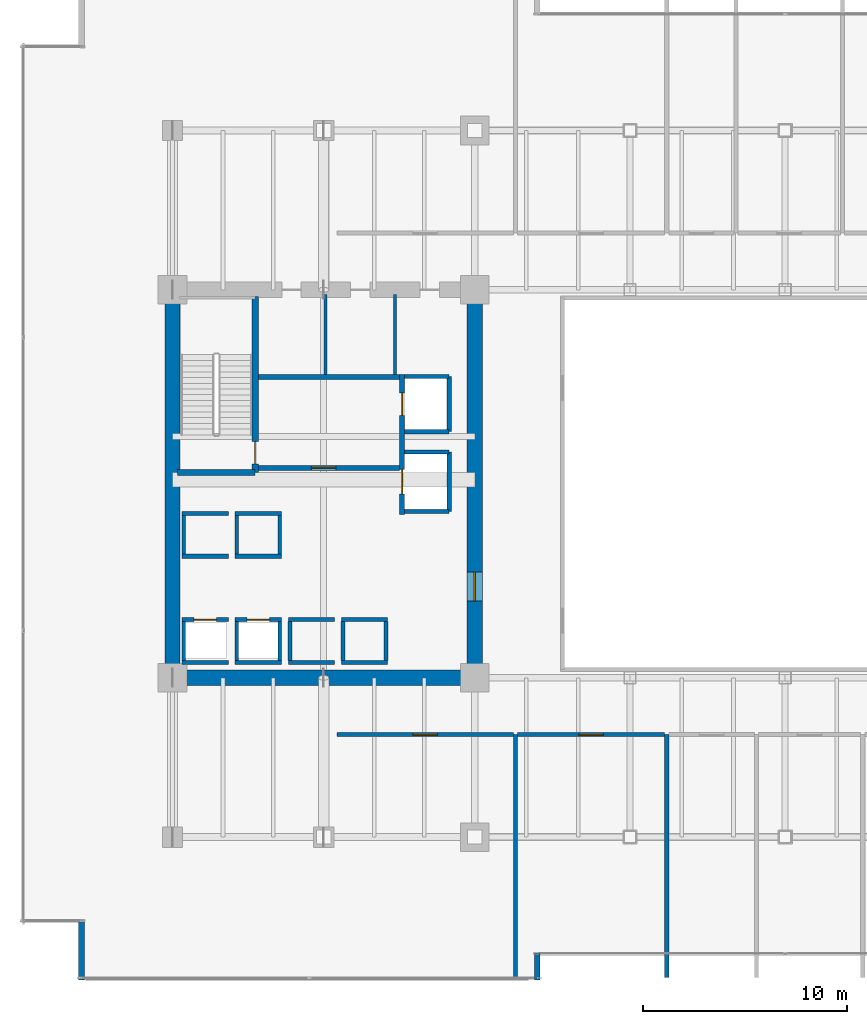
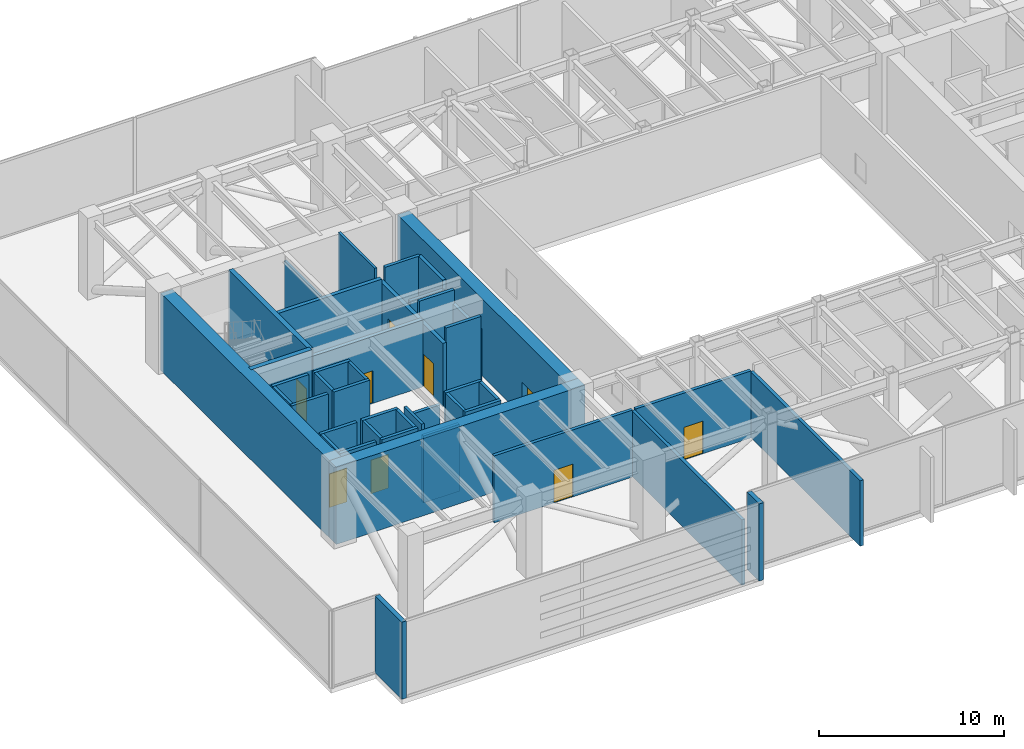
# One storey, part 32 of 38: 43 walls, 9 doors, 9 openings.
"""IFC4 building model written with IfcOpenShell, lengths in metres."""

from ifc_helpers import new_model, si_unit, direction, frame, frame_2d, origin, place, context, subcontext, project, spatial, rectangle, extrude, source, transform, mapped, material, layer, layer_set, type_object, type_shapes, element, fill, save


model = new_model("IFC4")

# Units and contexts
model_context = context("Model", 3, precision=1e-05, world=origin(), true_north=direction((0.0, 1.0)))
body_context = subcontext(model_context, "Body", "Model", "MODEL_VIEW")
ifc_project = project(units=[si_unit("LENGTHUNIT", "METRE"), si_unit("AREAUNIT", "SQUARE_METRE"), si_unit("VOLUMEUNIT", "CUBIC_METRE"), si_unit("PLANEANGLEUNIT", "RADIAN"), si_unit("MASSUNIT", "GRAM", prefix="KILO")], contexts=[model_context])

# Site, building, storey
site_placement = place(None, origin())
site = spatial("IfcSite", under=ifc_project, at=site_placement, CompositionType="ELEMENT")
building_placement = place(site_placement, origin())
building = spatial("IfcBuilding", under=site, at=building_placement, Name="Haelvirn Gate Laboratories", CompositionType="ELEMENT")
storey_placement = place(building_placement, frame((0.0, 0.0, 94.89990234375)))
storey = spatial("IfcBuildingStorey", under=building, at=storey_placement, Name="L23", CompositionType="ELEMENT", Elevation=94.89990234375)

# Walls
ifc_material_1 = material(Name="Thermally-broken bronze aluminium rainscreen & mineral wool", Category="aluminium")
ifc_layer_1 = layer(ifc_material_1, 0.280029296875, Name="EW-TERR-280")
ifc_layer_set_1 = layer_set([ifc_layer_1], Name="Thermally-broken bronze aluminium rainscreen & mineral wool")
wall_type_1 = type_object("IfcWallType", Name="EW-TERR-280", PredefinedType="STANDARD", material=ifc_layer_set_1)
wall_1_placement = place(storey_placement, frame((25.260009765625, 0.0, 0.0), z_axis=(0.0, 0.0, 1.0), x_axis=(0.0, 1.0, 0.0)))
element("IfcWall", 1, at=wall_1_placement, inside=storey, type_object=wall_type_1, Name="L23 Atrium Recess Bronze Return Wall 01", PredefinedType="STANDARD", context=body_context, shape_type="SweptSolid", body=[
    extrude(rectangle(XDim=1.2880859375, YDim=0.280029296875, at=frame_2d((0.64404296875, 0.0))), origin(), (0.0, 0.0, 1.0), 5.090087890625),
])
wall_2_placement = place(storey_placement, frame((2.93994140625, 2.887939453125, 0.0), z_axis=(0.0, 0.0, 1.0), x_axis=(0.0, -1.0, 0.0)))
element("IfcWall", 2, at=wall_2_placement, inside=storey, type_object=wall_type_1, Name="L23 Atrium Recess Bronze Return Wall 19", PredefinedType="STANDARD", context=body_context, shape_type="SweptSolid", body=[
    extrude(rectangle(XDim=2.887939453125, YDim=0.280029296875, at=frame_2d((1.44384765625, 0.0))), origin(), (0.0, 0.0, 1.0), 5.090087890625),
])
ifc_material_2 = material(Name="Cement-board restroom plumbing chase wall", Category="gypsum")
ifc_layer_2 = layer(ifc_material_2, 0.155029296875, Name="IW-PLUMB-160")
ifc_layer_set_2 = layer_set([ifc_layer_2], Name="Cement-board restroom plumbing chase wall")
wall_type_2 = type_object("IfcWallType", Name="IW-PLUMB-160", PredefinedType="PLUMBINGWALL", material=ifc_layer_set_2)
wall_3_placement = place(storey_placement, frame((14.889892578125, 29.64990234375, 0.0), z_axis=(0.0, 0.0, 1.0), x_axis=(0.0, 1.0, 0.0)))
element("IfcWall", 3, at=wall_3_placement, inside=storey, type_object=wall_type_2, Name="L23 Interior Wall IW-L23-W-CDIV-1", PredefinedType="PLUMBINGWALL", context=body_context, shape_type="SweptSolid", body=[
    extrude(rectangle(XDim=3.93017578125, YDim=0.155029296875, at=frame_2d((1.965087890625, 0.0))), origin(), (0.0, 0.0, 1.0), 4.425048828125),
])
wall_4_placement = place(storey_placement, frame((18.2900390625, 29.64990234375, 0.0), z_axis=(0.0, 0.0, 1.0), x_axis=(0.0, 1.0, 0.0)))
element("IfcWall", 4, at=wall_4_placement, inside=storey, type_object=wall_type_2, Name="L23 Interior Wall IW-L23-W-CDIV-2", PredefinedType="PLUMBINGWALL", context=body_context, shape_type="SweptSolid", body=[
    extrude(rectangle(XDim=3.93017578125, YDim=0.155029296875, at=frame_2d((1.965087890625, 0.0))), origin(), (0.0, 0.0, 1.0), 5.090087890625),
])
ifc_material_3 = material(Name="Concrete C40/50", Category="concrete")
ifc_layer_3 = layer(ifc_material_3, 0.179931640625, Name="IW-SHAFT-180")
ifc_layer_set_3 = layer_set([ifc_layer_3], Name="Concrete C40/50")
wall_type_3 = type_object("IfcWallType", Name="IW-SHAFT-180", PredefinedType="SOLIDWALL", material=ifc_layer_set_3)
for number, where, z_axis, x_axis, name in (
    (5, (7.949951171875, 15.64990234375, 0.0), (0.0, 0.0, 1.0), (0.0, 1.0, 0.0), "L23 Interior Wall IW-L23-PL1-SD"),
    (6, (10.550048828125, 15.64990234375, 0.0), (0.0, 0.0, 1.0), (0.0, 1.0, 0.0), "L23 Interior Wall IW-L23-PL2-SD"),
    (7, (12.64990234375, 15.64990234375, 0.0), (0.0, 0.0, 1.0), (0.0, 1.0, 0.0), "L23 Interior Wall IW-L23-PL2-SDE"),
    (8, (13.14990234375, 15.64990234375, 0.0), (0.0, 0.0, 1.0), (0.0, 1.0, 0.0), "L23 Interior Wall IW-L23-PL5-SD"),
    (9, (15.75, 15.64990234375, 0.0), (0.0, 0.0, 1.0), (0.0, 1.0, 0.0), "L23 Interior Wall IW-L23-PL6-SD"),
    (10, (17.85009765625, 15.64990234375, 0.0), (0.0, 0.0, 1.0), (0.0, 1.0, 0.0), "L23 Interior Wall IW-L23-PL6-SDE"),
):
    element("IfcWall", number, at=place(storey_placement, frame(where, z_axis=z_axis, x_axis=x_axis)), inside=storey, type_object=wall_type_3, Name=name, PredefinedType="SOLIDWALL", context=body_context, shape_type="SweptSolid", body=[
        extrude(rectangle(XDim=1.900146484375, YDim=0.179931640625, at=frame_2d((0.9501953125, 0.0))), origin(), (0.0, 0.0, 1.0), 5.090087890625),
    ])
for number, where, z_axis, x_axis, name in (
    (11, (7.949951171875, 20.85009765625, 0.0), (0.0, 0.0, 1.0), (0.0, 1.0, 0.0), "L23 Interior Wall IW-L23-PL9-SD"),
    (12, (10.550048828125, 20.85009765625, 0.0), (0.0, 0.0, 1.0), (0.0, 1.0, 0.0), "L23 Interior Wall IW-L23-PL10-SD"),
    (13, (12.64990234375, 20.85009765625, 0.0), (0.0, 0.0, 1.0), (0.0, 1.0, 0.0), "L23 Interior Wall IW-L23-PL10-SDE"),
):
    element("IfcWall", number, at=place(storey_placement, frame(where, z_axis=z_axis, x_axis=x_axis)), inside=storey, type_object=wall_type_3, Name=name, PredefinedType="SOLIDWALL", context=body_context, shape_type="SweptSolid", body=[
        extrude(rectangle(XDim=1.89990234375, YDim=0.179931640625, at=frame_2d((0.949951171875, 0.0))), origin(), (0.0, 0.0, 1.0), 5.090087890625),
    ])

# Wall, opening, door
ifc_layer_4 = layer(ifc_material_3, 0.199951171875, Name="IW-SHAFT-200")
ifc_layer_set_4 = layer_set([ifc_layer_4], Name="Concrete C40/50")
wall_type_4 = type_object("IfcWallType", Name="IW-SHAFT-200", PredefinedType="SOLIDWALL", material=ifc_layer_set_4)
wall_5_placement = place(storey_placement, frame((7.8701171875, 17.64990234375, 0.0), z_axis=(0.0, 0.0, 1.0), x_axis=(1.0, 0.0, 0.0)))
wall_5 = element("IfcWall", 14, at=wall_5_placement, inside=storey, type_object=wall_type_4, Name="L23 Interior Wall IW-L23-PL1-FR", PredefinedType="SOLIDWALL", context=body_context, shape_type="SweptSolid", body=[
    extrude(rectangle(XDim=2.259765625, YDim=0.199951171875, at=frame_2d((1.1298828125, 0.0))), origin(), (0.0, 0.0, 1.0), 5.090087890625),
])
opening_1_placement = place(wall_5_placement, frame((0.580078125, 0.0, 0.0)))
opening_1 = element("IfcOpeningElement", 15, at=opening_1_placement, cuts=wall_5, Name="Opening LD2", PredefinedType="OPENING", context=body_context, shape_type="SweptSolid", body=[
    extrude(rectangle(XDim=1.10009765625, YDim=2.219970703125, at=frame_2d((0.550048828125, 1.10986328125))), frame((0.0, 0.10986328125, 0.0), z_axis=(0.0, -1.0, 0.0), x_axis=(1.0, 0.0, 0.0)), (0.0, 0.0, 1.0), 0.219970703125),
])
ifc_material_4 = material(Name="Bronze stainless 316L sliding lift landing door")
door_type_1 = type_object("IfcDoorType", Name="DR-LD-1100", OperationType="NOTDEFINED", PredefinedType="USERDEFINED", material=ifc_material_4)
shared_shape_1 = source(origin(), body_context, "Body", "SweptSolid", [
    extrude(rectangle(XDim=1.10009765625, YDim=2.219970703125, at=frame_2d((0.550048828125, 1.10986328125))), frame((0.0, 0.02490234375, 0.0), z_axis=(0.0, -1.0, 0.0), x_axis=(1.0, 0.0, 0.0)), (0.0, 0.0, 1.0), 0.050048828125),
])
type_shapes(door_type_1, [shared_shape_1])
door_1_placement = place(opening_1_placement, origin())
door_1 = element("IfcDoor", 16, at=door_1_placement, inside=storey, type_object=door_type_1, Name="L23 Passenger Lift PL1 Landing Door", ObjectType="LANDING_DOOR", OperationType="SLIDING_TO_LEFT", OverallHeight=2.219970703125, OverallWidth=1.10009765625, PredefinedType="USERDEFINED", context=body_context, shape_type="MappedRepresentation", body=[
    mapped(shared_shape_1, transform((0.0, 0.0, 0.0), scale=1.0)),
])
fill(opening_1, door_1)

# Wall
wall_6_placement = place(storey_placement, frame((7.8701171875, 15.550048828125, 0.0), z_axis=(0.0, 0.0, 1.0), x_axis=(1.0, 0.0, 0.0)))
element("IfcWall", 17, at=wall_6_placement, inside=storey, type_object=wall_type_4, Name="L23 Interior Wall IW-L23-PL1-BK", PredefinedType="SOLIDWALL", context=body_context, shape_type="SweptSolid", body=[
    extrude(rectangle(XDim=2.259765625, YDim=0.199951171875, at=frame_2d((1.1298828125, 0.0))), origin(), (0.0, 0.0, 1.0), 5.090087890625),
])

# Wall, opening, door
wall_7_placement = place(storey_placement, frame((10.469970703125, 17.64990234375, 0.0), z_axis=(0.0, 0.0, 1.0), x_axis=(1.0, 0.0, 0.0)))
wall_7 = element("IfcWall", 18, at=wall_7_placement, inside=storey, type_object=wall_type_4, Name="L23 Interior Wall IW-L23-PL2-FR", PredefinedType="SOLIDWALL", context=body_context, shape_type="SweptSolid", body=[
    extrude(rectangle(XDim=2.260009765625, YDim=0.199951171875, at=frame_2d((1.1298828125, 0.0))), origin(), (0.0, 0.0, 1.0), 5.090087890625),
])
opening_2_placement = place(wall_7_placement, frame((0.580078125, 0.0, 0.0)))
opening_2 = element("IfcOpeningElement", 19, at=opening_2_placement, cuts=wall_7, Name="Opening LD2", PredefinedType="OPENING", context=body_context, shape_type="SweptSolid", body=[
    extrude(rectangle(XDim=1.10009765625, YDim=2.219970703125, at=frame_2d((0.550048828125, 1.10986328125))), frame((0.0, 0.10986328125, 0.0), z_axis=(0.0, -1.0, 0.0), x_axis=(1.0, 0.0, 0.0)), (0.0, 0.0, 1.0), 0.219970703125),
])
door_2_placement = place(opening_2_placement, origin())
door_2 = element("IfcDoor", 20, at=door_2_placement, inside=storey, type_object=door_type_1, Name="L23 Passenger Lift PL2 Landing Door", ObjectType="LANDING_DOOR", OperationType="SLIDING_TO_RIGHT", OverallHeight=2.219970703125, OverallWidth=1.10009765625, PredefinedType="USERDEFINED", context=body_context, shape_type="MappedRepresentation", body=[
    mapped(shared_shape_1, transform((0.0, 0.0, 0.0), scale=1.0)),
])
fill(opening_2, door_2)

# Walls
wall_8_placement = place(storey_placement, frame((10.469970703125, 15.550048828125, 0.0), z_axis=(0.0, 0.0, 1.0), x_axis=(1.0, 0.0, 0.0)))
element("IfcWall", 21, at=wall_8_placement, inside=storey, type_object=wall_type_4, Name="L23 Interior Wall IW-L23-PL2-BK", PredefinedType="SOLIDWALL", context=body_context, shape_type="SweptSolid", body=[
    extrude(rectangle(XDim=2.260009765625, YDim=0.199951171875, at=frame_2d((1.1298828125, 0.0))), origin(), (0.0, 0.0, 1.0), 5.090087890625),
])
for number, where, z_axis, x_axis, name in (
    (22, (13.070068359375, 17.64990234375, 0.0), (0.0, 0.0, 1.0), (1.0, 0.0, 0.0), "L23 Interior Wall IW-L23-PL5-FR"),
    (23, (13.070068359375, 15.550048828125, 0.0), (0.0, 0.0, 1.0), (1.0, 0.0, 0.0), "L23 Interior Wall IW-L23-PL5-BK"),
):
    element("IfcWall", number, at=place(storey_placement, frame(where, z_axis=z_axis, x_axis=x_axis)), inside=storey, type_object=wall_type_4, Name=name, PredefinedType="SOLIDWALL", context=body_context, shape_type="SweptSolid", body=[
        extrude(rectangle(XDim=2.260009765625, YDim=0.199951171875, at=frame_2d((1.1298828125, 0.0))), origin(), (0.0, 0.0, 1.0), 4.425048828125),
    ])
for number, where, z_axis, x_axis, name in (
    (24, (15.669921875, 17.64990234375, 0.0), (0.0, 0.0, 1.0), (1.0, 0.0, 0.0), "L23 Interior Wall IW-L23-PL6-FR"),
    (25, (15.669921875, 15.550048828125, 0.0), (0.0, 0.0, 1.0), (1.0, 0.0, 0.0), "L23 Interior Wall IW-L23-PL6-BK"),
):
    element("IfcWall", number, at=place(storey_placement, frame(where, z_axis=z_axis, x_axis=x_axis)), inside=storey, type_object=wall_type_4, Name=name, PredefinedType="SOLIDWALL", context=body_context, shape_type="SweptSolid", body=[
        extrude(rectangle(XDim=2.260009765625, YDim=0.199951171875, at=frame_2d((1.1298828125, 0.0))), origin(), (0.0, 0.0, 1.0), 5.090087890625),
    ])
for number, where, z_axis, x_axis, name in (
    (26, (7.8701171875, 20.75, 0.0), (0.0, 0.0, 1.0), (1.0, 0.0, 0.0), "L23 Interior Wall IW-L23-PL9-FR"),
    (27, (7.8701171875, 22.85009765625, 0.0), (0.0, 0.0, 1.0), (1.0, 0.0, 0.0), "L23 Interior Wall IW-L23-PL9-BK"),
):
    element("IfcWall", number, at=place(storey_placement, frame(where, z_axis=z_axis, x_axis=x_axis)), inside=storey, type_object=wall_type_4, Name=name, PredefinedType="SOLIDWALL", context=body_context, shape_type="SweptSolid", body=[
        extrude(rectangle(XDim=2.259765625, YDim=0.199951171875, at=frame_2d((1.1298828125, 0.0))), origin(), (0.0, 0.0, 1.0), 5.090087890625),
    ])
for number, where, z_axis, x_axis, name in (
    (28, (10.469970703125, 20.75, 0.0), (0.0, 0.0, 1.0), (1.0, 0.0, 0.0), "L23 Interior Wall IW-L23-PL10-FR"),
    (29, (10.469970703125, 22.85009765625, 0.0), (0.0, 0.0, 1.0), (1.0, 0.0, 0.0), "L23 Interior Wall IW-L23-PL10-BK"),
):
    element("IfcWall", number, at=place(storey_placement, frame(where, z_axis=z_axis, x_axis=x_axis)), inside=storey, type_object=wall_type_4, Name=name, PredefinedType="SOLIDWALL", context=body_context, shape_type="SweptSolid", body=[
        extrude(rectangle(XDim=2.260009765625, YDim=0.199951171875, at=frame_2d((1.1298828125, 0.0))), origin(), (0.0, 0.0, 1.0), 5.090087890625),
    ])
wall_9_placement = place(storey_placement, frame((20.949951171875, 26.85009765625, 0.0), z_axis=(0.0, 0.0, 1.0), x_axis=(0.0, 1.0, 0.0)))
element("IfcWall", 30, at=wall_9_placement, inside=storey, type_object=wall_type_4, Name="L23 Interior Wall IW-L23-FL1-BK", PredefinedType="SOLIDWALL", context=body_context, shape_type="SweptSolid", body=[
    extrude(rectangle(XDim=2.699951171875, YDim=0.199951171875, at=frame_2d((1.35009765625, 0.0))), origin(), (0.0, 0.0, 1.0), 5.090087890625),
])
wall_10_placement = place(storey_placement, frame((18.760009765625, 29.550048828125, 0.0), z_axis=(0.0, 0.0, 1.0), x_axis=(1.0, 0.0, 0.0)))
element("IfcWall", 31, at=wall_10_placement, inside=storey, type_object=wall_type_4, Name="L23 Interior Wall IW-L23-FL1-N", PredefinedType="SOLIDWALL", context=body_context, shape_type="SweptSolid", body=[
    extrude(rectangle(XDim=2.18994140625, YDim=0.199951171875, at=frame_2d((1.094970703125, 0.0))), origin(), (0.0, 0.0, 1.0), 5.090087890625),
])
wall_11_placement = place(storey_placement, frame((18.760009765625, 26.85009765625, 0.0), z_axis=(0.0, 0.0, 1.0), x_axis=(1.0, 0.0, 0.0)))
element("IfcWall", 32, at=wall_11_placement, inside=storey, type_object=wall_type_4, Name="L23 Interior Wall IW-L23-FL1-S", PredefinedType="SOLIDWALL", context=body_context, shape_type="SweptSolid", body=[
    extrude(rectangle(XDim=2.18994140625, YDim=0.199951171875, at=frame_2d((1.094970703125, 0.0))), origin(), (0.0, 0.0, 1.0), 4.487060546875),
])
wall_12_placement = place(storey_placement, frame((20.949951171875, 22.949951171875, 0.0), z_axis=(0.0, 0.0, 1.0), x_axis=(0.0, 1.0, 0.0)))
element("IfcWall", 33, at=wall_12_placement, inside=storey, type_object=wall_type_4, Name="L23 Interior Wall IW-L23-SL1-BK", PredefinedType="SOLIDWALL", context=body_context, shape_type="SweptSolid", body=[
    extrude(rectangle(XDim=2.900146484375, YDim=0.199951171875, at=frame_2d((1.4501953125, 0.0))), origin(), (0.0, 0.0, 1.0), 4.175048828125),
])
for number, where, z_axis, x_axis, name in (
    (34, (18.760009765625, 25.85009765625, 0.0), (0.0, 0.0, 1.0), (1.0, 0.0, 0.0), "L23 Interior Wall IW-L23-SL1-N"),
    (35, (18.760009765625, 22.949951171875, 0.0), (0.0, 0.0, 1.0), (1.0, 0.0, 0.0), "L23 Interior Wall IW-L23-SL1-S"),
):
    element("IfcWall", number, at=place(storey_placement, frame(where, z_axis=z_axis, x_axis=x_axis)), inside=storey, type_object=wall_type_4, Name=name, PredefinedType="SOLIDWALL", context=body_context, shape_type="SweptSolid", body=[
        extrude(rectangle(XDim=2.18994140625, YDim=0.199951171875, at=frame_2d((1.094970703125, 0.0))), origin(), (0.0, 0.0, 1.0), 5.090087890625),
    ])

# Wall, opening, door
wall_13_placement = place(storey_placement, frame((15.449951171875, 12.02001953125, 0.0), z_axis=(0.0, 0.0, 1.0), x_axis=(1.0, 0.0, 0.0)))
wall_13 = element("IfcWall", 36, at=wall_13_placement, inside=storey, type_object=wall_type_4, Name="L23 Interior Wall IW-L23-PSW-1", PredefinedType="SOLIDWALL", context=body_context, shape_type="SweptSolid", body=[
    extrude(rectangle(XDim=8.650146484375, YDim=0.199951171875, at=frame_2d((4.3251953125, 0.0))), origin(), (0.0, 0.0, 1.0), 4.425048828125),
])
opening_3_placement = place(wall_13_placement, frame((3.72509765625, 0.0, 0.0)))
opening_3 = element("IfcOpeningElement", 37, at=opening_3_placement, cuts=wall_13, Name="Opening FD2", PredefinedType="OPENING", context=body_context, shape_type="SweptSolid", body=[
    extrude(rectangle(XDim=1.199951171875, YDim=2.159912109375, at=frame_2d((0.60009765625, 1.080078125))), frame((0.0, 0.10986328125, 0.0), z_axis=(0.0, -1.0, 0.0), x_axis=(1.0, 0.0, 0.0)), (0.0, 0.0, 1.0), 0.219970703125),
])
ifc_material_5 = material(Name="Fire-rated steel SM355 compartment door", Category="steel")
door_type_2 = type_object("IfcDoorType", Name="DR-FD-1200", OperationType="NOTDEFINED", PredefinedType="DOOR", material=ifc_material_5)
shared_shape_2 = source(origin(), body_context, "Body", "SweptSolid", [
    extrude(rectangle(XDim=1.199951171875, YDim=2.159912109375, at=frame_2d((0.60009765625, 1.080078125))), frame((0.0, 0.02490234375, 0.0), z_axis=(0.0, -1.0, 0.0), x_axis=(1.0, 0.0, 0.0)), (0.0, 0.0, 1.0), 0.050048828125),
])
type_shapes(door_type_2, [shared_shape_2])
door_3_placement = place(opening_3_placement, origin())
door_3 = element("IfcDoor", 38, at=door_3_placement, inside=storey, type_object=door_type_2, Name="L23 West Sky Evacuation Refuge Zone 1A Fire Door", OperationType="SINGLE_SWING_LEFT", OverallHeight=2.159912109375, OverallWidth=1.199951171875, PredefinedType="DOOR", context=body_context, shape_type="MappedRepresentation", body=[
    mapped(shared_shape_2, transform((0.0, 0.0, 0.0), scale=1.0)),
])
fill(opening_3, door_3)

# Wall
wall_14_placement = place(storey_placement, frame((24.199951171875, 0.110107421875, 0.0), z_axis=(0.0, 0.0, 1.0), x_axis=(0.0, 1.0, 0.0)))
element("IfcWall", 39, at=wall_14_placement, inside=storey, type_object=wall_type_4, Name="L23 Interior Wall IW-L23-PSDIV-1", PredefinedType="SOLIDWALL", context=body_context, shape_type="SweptSolid", body=[
    extrude(rectangle(XDim=11.909912109375, YDim=0.199951171875, at=frame_2d((5.955078125, 0.0))), origin(), (0.0, 0.0, 1.0), 4.3251953125),
])

# Wall, opening, door
wall_15_placement = place(storey_placement, frame((24.300048828125, 12.02001953125, 0.0), z_axis=(0.0, 0.0, 1.0), x_axis=(1.0, 0.0, 0.0)))
wall_15 = element("IfcWall", 40, at=wall_15_placement, inside=storey, type_object=wall_type_4, Name="L23 Interior Wall IW-L23-PSW-2", PredefinedType="SOLIDWALL", context=body_context, shape_type="SweptSolid", body=[
    extrude(rectangle(XDim=7.199951171875, YDim=0.199951171875, at=frame_2d((3.60009765625, 0.0))), origin(), (0.0, 0.0, 1.0), 4.425048828125),
])
opening_4_placement = place(wall_15_placement, frame((3.0, 0.0, 0.0)))
opening_4 = element("IfcOpeningElement", 41, at=opening_4_placement, cuts=wall_15, Name="Opening FD2", PredefinedType="OPENING", context=body_context, shape_type="SweptSolid", body=[
    extrude(rectangle(XDim=1.199951171875, YDim=2.159912109375, at=frame_2d((0.60009765625, 1.080078125))), frame((0.0, 0.10986328125, 0.0), z_axis=(0.0, -1.0, 0.0), x_axis=(1.0, 0.0, 0.0)), (0.0, 0.0, 1.0), 0.219970703125),
])
door_4_placement = place(opening_4_placement, origin())
door_4 = element("IfcDoor", 42, at=door_4_placement, inside=storey, type_object=door_type_2, Name="L23 West Sky Evacuation Refuge Zone 1B Fire Door", OperationType="SINGLE_SWING_RIGHT", OverallHeight=2.159912109375, OverallWidth=1.199951171875, PredefinedType="DOOR", context=body_context, shape_type="MappedRepresentation", body=[
    mapped(shared_shape_2, transform((0.0, 0.0, 0.0), scale=1.0)),
])
fill(opening_4, door_4)

# Wall
wall_16_placement = place(storey_placement, frame((31.60009765625, 0.110107421875, 0.0), z_axis=(0.0, 0.0, 1.0), x_axis=(0.0, 1.0, 0.0)))
element("IfcWall", 43, at=wall_16_placement, inside=storey, type_object=wall_type_4, Name="L23 Interior Wall IW-L23-PSDIV-2", PredefinedType="SOLIDWALL", context=body_context, shape_type="SweptSolid", body=[
    extrude(rectangle(XDim=11.909912109375, YDim=0.199951171875, at=frame_2d((5.955078125, 0.0))), origin(), (0.0, 0.0, 1.0), 4.3251953125),
])

# Wall, opening, door
ifc_layer_5 = layer(ifc_material_3, 0.239990234375, Name="IW-SHAFT-240")
ifc_layer_set_5 = layer_set([ifc_layer_5], Name="Concrete C40/50")
wall_type_5 = type_object("IfcWallType", Name="IW-SHAFT-240", PredefinedType="SOLIDWALL", material=ifc_layer_set_5)
wall_17_placement = place(storey_placement, frame((11.60009765625, 25.080078125, 0.0), z_axis=(0.0, 0.0, 1.0), x_axis=(1.0, 0.0, 0.0)))
wall_17 = element("IfcWall", 44, at=wall_17_placement, inside=storey, type_object=wall_type_5, Name="L23 Interior Wall IW-L23-W-FF-S", PredefinedType="SOLIDWALL", context=body_context, shape_type="SweptSolid", body=[
    extrude(rectangle(XDim=6.919921875, YDim=0.239990234375, at=frame_2d((3.4599609375, 0.0))), origin(), (0.0, 0.0, 1.0), 4.425048828125),
])
opening_5_placement = place(wall_17_placement, frame((2.60009765625, 0.0, 0.0)))
opening_5 = element("IfcOpeningElement", 45, at=opening_5_placement, cuts=wall_17, Name="Opening FD2", PredefinedType="OPENING", context=body_context, shape_type="SweptSolid", body=[
    extrude(rectangle(XDim=1.199951171875, YDim=2.159912109375, at=frame_2d((0.60009765625, 1.080078125))), frame((0.0, 0.1298828125, 0.0), z_axis=(0.0, -1.0, 0.0), x_axis=(1.0, 0.0, 0.0)), (0.0, 0.0, 1.0), 0.260009765625),
])
door_5_placement = place(opening_5_placement, origin())
door_5 = element("IfcDoor", 46, at=door_5_placement, inside=storey, type_object=door_type_2, Name="L23 West Firefighting Lobby Door", OperationType="SINGLE_SWING_RIGHT", OverallHeight=2.159912109375, OverallWidth=1.199951171875, PredefinedType="DOOR", context=body_context, shape_type="MappedRepresentation", body=[
    mapped(shared_shape_2, transform((0.0, 0.0, 0.0), scale=1.0)),
])
fill(opening_5, door_5)

# Wall
wall_18_placement = place(storey_placement, frame((11.60009765625, 29.52001953125, 0.0), z_axis=(0.0, 0.0, 1.0), x_axis=(1.0, 0.0, 0.0)))
element("IfcWall", 47, at=wall_18_placement, inside=storey, type_object=wall_type_5, Name="L23 Interior Wall IW-L23-W-FF-N", PredefinedType="SOLIDWALL", context=body_context, shape_type="SweptSolid", body=[
    extrude(rectangle(XDim=6.919921875, YDim=0.239990234375, at=frame_2d((3.4599609375, 0.0))), origin(), (0.0, 0.0, 1.0), 4.425048828125),
])

# Wall, openings, doors
wall_19_placement = place(storey_placement, frame((18.639892578125, 22.800048828125, 0.0), z_axis=(0.0, 0.0, 1.0), x_axis=(0.0, 1.0, 0.0)))
wall_19 = element("IfcWall", 48, at=wall_19_placement, inside=storey, type_object=wall_type_5, Name="L23 Interior Wall IW-L23-W-FF-E", PredefinedType="SOLIDWALL", context=body_context, shape_type="SweptSolid", body=[
    extrude(rectangle(XDim=6.849853515625, YDim=0.239990234375, at=frame_2d((3.4248046875, 0.0))), origin(), (0.0, 0.0, 1.0), 4.175048828125),
])
opening_6_placement = place(wall_19_placement, frame((4.85009765625, 0.0, 0.0)))
opening_6 = element("IfcOpeningElement", 49, at=opening_6_placement, cuts=wall_19, Name="Opening LD2", PredefinedType="OPENING", context=body_context, shape_type="SweptSolid", body=[
    extrude(rectangle(XDim=1.10009765625, YDim=2.219970703125, at=frame_2d((0.550048828125, 1.10986328125))), frame((0.0, 0.1298828125, 0.0), z_axis=(0.0, -1.0, 0.0), x_axis=(1.0, 0.0, 0.0)), (0.0, 0.0, 1.0), 0.260009765625),
])
opening_7_placement = place(wall_19_placement, frame((1.0, 0.0, 0.0)))
opening_7 = element("IfcOpeningElement", 50, at=opening_7_placement, cuts=wall_19, Name="Opening LD1", PredefinedType="OPENING", context=body_context, shape_type="SweptSolid", body=[
    extrude(rectangle(XDim=1.199951171875, YDim=2.219970703125, at=frame_2d((0.60009765625, 1.10986328125))), frame((0.0, 0.1298828125, 0.0), z_axis=(0.0, -1.0, 0.0), x_axis=(1.0, 0.0, 0.0)), (0.0, 0.0, 1.0), 0.260009765625),
])
door_6_placement = place(opening_6_placement, origin())
door_6 = element("IfcDoor", 51, at=door_6_placement, inside=storey, type_object=door_type_1, Name="L23 Firefighting Lift FL1 Landing Door", ObjectType="LANDING_DOOR", OperationType="SLIDING_TO_LEFT", OverallHeight=2.219970703125, OverallWidth=1.10009765625, PredefinedType="USERDEFINED", context=body_context, shape_type="MappedRepresentation", body=[
    mapped(shared_shape_1, transform((0.0, 0.0, 0.0), scale=1.0)),
])
fill(opening_6, door_6)
ifc_material_6 = material(Name="Stainless steel 316L sliding goods landing door", Category="steel")
door_type_3 = type_object("IfcDoorType", Name="DR-LD-1200", OperationType="NOTDEFINED", PredefinedType="USERDEFINED", material=ifc_material_6)
shared_shape_3 = source(origin(), body_context, "Body", "SweptSolid", [
    extrude(rectangle(XDim=1.199951171875, YDim=2.219970703125, at=frame_2d((0.60009765625, 1.10986328125))), frame((0.0, 0.02490234375, 0.0), z_axis=(0.0, -1.0, 0.0), x_axis=(1.0, 0.0, 0.0)), (0.0, 0.0, 1.0), 0.050048828125),
])
type_shapes(door_type_3, [shared_shape_3])
door_7_placement = place(opening_7_placement, origin())
door_7 = element("IfcDoor", 52, at=door_7_placement, inside=storey, type_object=door_type_3, Name="L23 Service Lift SL1 Landing Door", ObjectType="LANDING_DOOR", OperationType="SLIDING_TO_RIGHT", OverallHeight=2.219970703125, OverallWidth=1.199951171875, PredefinedType="USERDEFINED", context=body_context, shape_type="MappedRepresentation", body=[
    mapped(shared_shape_3, transform((0.0, 0.0, 0.0), scale=1.0)),
])
fill(opening_7, door_7)

# Walls
ifc_material_7 = material(Name="Concrete C70/85", Category="concrete")
ifc_layer_6 = layer(ifc_material_7, 0.75, Name="SW-CORE-750")
ifc_layer_set_6 = layer_set([ifc_layer_6], Name="Concrete C70/85")
wall_type_6 = type_object("IfcWallType", Name="SW-CORE-750", PredefinedType="SHEAR", material=ifc_layer_set_6)
wall_20_placement = place(storey_placement, frame((7.02490234375, 14.800048828125, 0.0), z_axis=(0.0, 0.0, 1.0), x_axis=(1.0, 0.0, 0.0)))
element("IfcWall", 53, at=wall_20_placement, inside=storey, type_object=wall_type_6, Name="L23 W Core Shear Wall S", PredefinedType="SHEAR", context=body_context, shape_type="SweptSolid", body=[
    extrude(rectangle(XDim=15.550048828125, YDim=0.75, at=frame_2d((7.77490234375, 0.0))), origin(), (0.0, 0.0, 1.0), 5.090087890625),
])
wall_21_placement = place(storey_placement, frame((7.39990234375, 15.175048828125, 0.0), z_axis=(0.0, 0.0, 1.0), x_axis=(0.0, 1.0, 0.0)))
element("IfcWall", 54, at=wall_21_placement, inside=storey, type_object=wall_type_6, Name="L23 W Core Shear Wall W", PredefinedType="SHEAR", context=body_context, shape_type="SweptSolid", body=[
    extrude(rectangle(XDim=18.25, YDim=0.75, at=frame_2d((9.125, 0.0))), origin(), (0.0, 0.0, 1.0), 5.090087890625),
])

# Wall, opening, door
wall_22_placement = place(storey_placement, frame((22.199951171875, 15.175048828125, 0.0), z_axis=(0.0, 0.0, 1.0), x_axis=(0.0, 1.0, 0.0)))
wall_22 = element("IfcWall", 55, at=wall_22_placement, inside=storey, type_object=wall_type_6, Name="L23 W Core Shear Wall E", PredefinedType="SHEAR", context=body_context, shape_type="SweptSolid", body=[
    extrude(rectangle(XDim=18.25, YDim=0.75, at=frame_2d((9.125, 0.0))), origin(), (0.0, 0.0, 1.0), 5.090087890625),
])
opening_8_placement = place(wall_22_placement, frame((3.375, 0.0, 0.0)))
opening_8 = element("IfcOpeningElement", 56, at=opening_8_placement, cuts=wall_22, Name="Opening FD1", PredefinedType="OPENING", context=body_context, shape_type="SweptSolid", body=[
    extrude(rectangle(XDim=1.419921875, YDim=2.199951171875, at=frame_2d((0.7099609375, 1.10009765625))), frame((0.0, 0.385009765625, 0.0), z_axis=(0.0, -1.0, 0.0), x_axis=(1.0, 0.0, 0.0)), (0.0, 0.0, 1.0), 0.77001953125),
])
ifc_material_8 = material(Name="Fire-rated double steel SM355 lobby door", Category="steel")
door_type_4 = type_object("IfcDoorType", Name="DR-FD-1400", OperationType="NOTDEFINED", PredefinedType="DOOR", material=ifc_material_8)
shared_shape_4 = source(origin(), body_context, "Body", "SweptSolid", [
    extrude(rectangle(XDim=1.419921875, YDim=2.199951171875, at=frame_2d((0.7099609375, 1.10009765625))), frame((0.0, 0.02490234375, 0.0), z_axis=(0.0, -1.0, 0.0), x_axis=(1.0, 0.0, 0.0)), (0.0, 0.0, 1.0), 0.050048828125),
])
type_shapes(door_type_4, [shared_shape_4])
door_8_placement = place(opening_8_placement, origin())
door_8 = element("IfcDoor", 57, at=door_8_placement, inside=storey, type_object=door_type_4, Name="L23 West Core Lift Lobby Fire Door", OperationType="DOUBLE_DOOR_SINGLE_SWING", OverallHeight=2.199951171875, OverallWidth=1.419921875, PredefinedType="DOOR", context=body_context, shape_type="MappedRepresentation", body=[
    mapped(shared_shape_4, transform((0.0, 0.0, 0.0), scale=1.0)),
])
fill(opening_8, door_8)

ifc_material_9 = material(Name="Concrete C50/60", Category="concrete")
ifc_layer_7 = layer(ifc_material_9, 0.300048828125, Name="SW-STAIR-300")
ifc_layer_set_7 = layer_set([ifc_layer_7], Name="Concrete C50/60")
wall_type_7 = type_object("IfcWallType", Name="SW-STAIR-300", PredefinedType="SHEAR", material=ifc_layer_set_7)
wall_23_placement = place(storey_placement, frame((11.449951171875, 24.85009765625, 0.0), z_axis=(0.0, 0.0, 1.0), x_axis=(0.0, 1.0, 0.0)))
wall_23 = element("IfcWall", 58, at=wall_23_placement, inside=storey, type_object=wall_type_7, Name="L23 W Core Stair Shaft Structural Wall IN", PredefinedType="SHEAR", context=body_context, shape_type="SweptSolid", body=[
    extrude(rectangle(XDim=8.6298828125, YDim=0.300048828125, at=frame_2d((4.31494140625, 0.0))), origin(), (0.0, 0.0, 1.0), 5.090087890625),
])
opening_9_placement = place(wall_23_placement, frame((0.419921875, 0.0, 0.0)))
opening_9 = element("IfcOpeningElement", 59, at=opening_9_placement, cuts=wall_23, Name="Opening FD3", PredefinedType="OPENING", context=body_context, shape_type="SweptSolid", body=[
    extrude(rectangle(XDim=1.10009765625, YDim=2.14990234375, at=frame_2d((0.550048828125, 1.074951171875))), frame((0.0, 0.16015625, 0.0), z_axis=(0.0, -1.0, 0.0), x_axis=(1.0, 0.0, 0.0)), (0.0, 0.0, 1.0), 0.320068359375),
])
ifc_material_10 = material(Name="Fire-rated steel SM355 escape stair door", Category="steel")
door_type_5 = type_object("IfcDoorType", Name="DR-FD-1100", OperationType="NOTDEFINED", PredefinedType="DOOR", material=ifc_material_10)
shared_shape_5 = source(origin(), body_context, "Body", "SweptSolid", [
    extrude(rectangle(XDim=1.10009765625, YDim=2.14990234375, at=frame_2d((0.550048828125, 1.074951171875))), frame((0.0, 0.02490234375, 0.0), z_axis=(0.0, -1.0, 0.0), x_axis=(1.0, 0.0, 0.0)), (0.0, 0.0, 1.0), 0.050048828125),
])
type_shapes(door_type_5, [shared_shape_5])
door_9_placement = place(opening_9_placement, origin())
door_9 = element("IfcDoor", 60, at=door_9_placement, inside=storey, type_object=door_type_5, Name="L23 Escape Stair ST1 Fire Door", OperationType="SINGLE_SWING_LEFT", OverallHeight=2.14990234375, OverallWidth=1.10009765625, PredefinedType="DOOR", context=body_context, shape_type="MappedRepresentation", body=[
    mapped(shared_shape_5, transform((0.0, 0.0, 0.0), scale=1.0)),
])
fill(opening_9, door_9)

# Wall
wall_24_placement = place(storey_placement, frame((7.64990234375, 24.85009765625, 0.0), z_axis=(0.0, 0.0, 1.0), x_axis=(1.0, 0.0, 0.0)))
element("IfcWall", 61, at=wall_24_placement, inside=storey, type_object=wall_type_7, Name="L23 W Core Stair Shaft Structural Wall S", PredefinedType="SHEAR", context=body_context, shape_type="SweptSolid", body=[
    extrude(rectangle(XDim=3.800048828125, YDim=0.300048828125, at=frame_2d((1.89990234375, 0.0))), origin(), (0.0, 0.0, 1.0), 5.090087890625),
])

save(model, "model.ifc")
